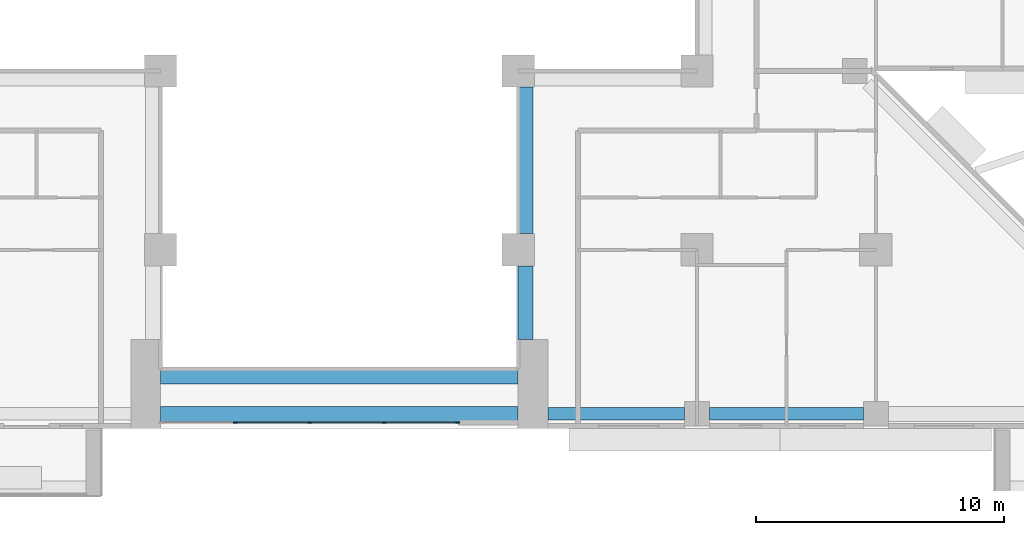
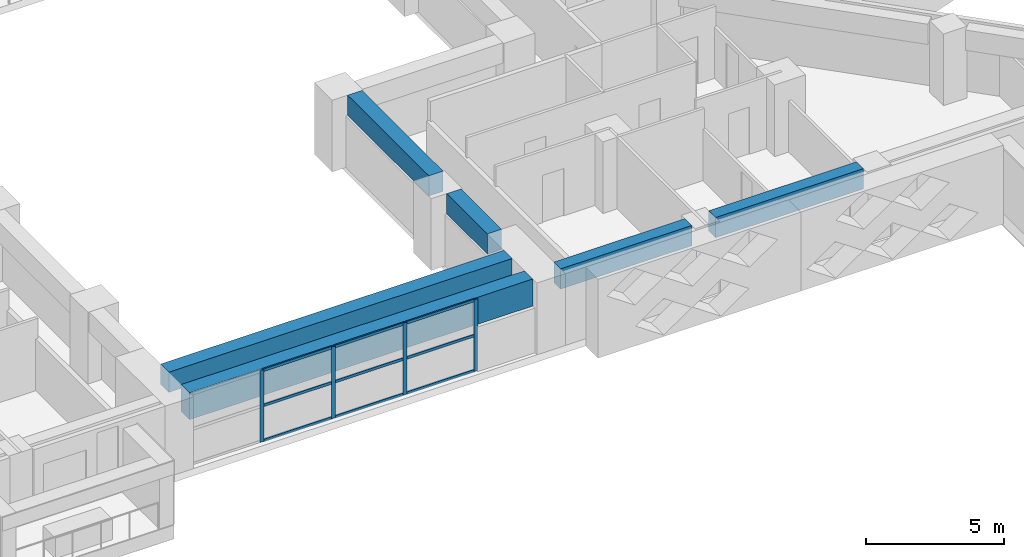
# One storey, part 4 of 17: 13 members, 6 beams, 1 element without a shape of its own.
"""IFC4 building model written with IfcOpenShell, lengths in metres."""

from ifc_helpers import new_model, si_unit, direction, frame, origin, origin_2d, place, context, subcontext, project, spatial, rectangle, extrude, source, transform, mapped, material, layer, layer_set, material_profile, profile_set, type_object, element, aggregate, save


model = new_model("IFC4")

# Units and contexts
model_context = context("Model", 3, precision=1e-05, world=origin(), true_north=direction((0.0, 1.0)))
body_context = subcontext(model_context, "Body", "Model", "MODEL_VIEW")
ifc_project = project(units=[si_unit("LENGTHUNIT", "METRE"), si_unit("AREAUNIT", "SQUARE_METRE"), si_unit("VOLUMEUNIT", "CUBIC_METRE"), si_unit("PLANEANGLEUNIT", "RADIAN"), si_unit("MASSUNIT", "GRAM", prefix="KILO")], contexts=[model_context])

# Site, building, storey
site_placement = place(None, origin())
site = spatial("IfcSite", under=ifc_project, at=site_placement, CompositionType="ELEMENT")
building_placement = place(site_placement, origin())
building = spatial("IfcBuilding", under=site, at=building_placement, Name="Saffron Iwan Residences", CompositionType="ELEMENT")
storey_placement = place(building_placement, frame((0.0, 0.0, 76.0)))
storey = spatial("IfcBuildingStorey", under=building, at=storey_placement, Name="L19", CompositionType="ELEMENT", Elevation=76.0)

# Beams
ifc_material_1 = material(Name="Concrete C60/75", Category="concrete")
ifc_material_profile_1 = material_profile(ifc_material_1, rectangle(XDim=0.60009765625, YDim=1.199951171875, at=origin_2d()), Name="RC 600x1200")
ifc_profile_set_1 = profile_set([ifc_material_profile_1], Name="Concrete C60/75")
beam_type_1 = type_object("IfcBeamType", Name="LINTEL BEAM RC 600x1200 C60/75 TOP 3180", PredefinedType="LINTEL", material=ifc_profile_set_1)
shared_shape_1 = source(origin(), body_context, "Body", "SweptSolid", [
    extrude(rectangle(XDim=0.60009765625, YDim=1.199951171875, at=origin_2d()), origin(), (0.0, 0.0, 1.0), 14.400146484375),
])
beam_1_placement = place(storey_placement, frame((57.60009765625, 34.199951171875, 2.580078125), z_axis=(-1.0, 0.0, 0.0), x_axis=(0.0, -1.0, 0.0)))
element("IfcBeam", 1, at=beam_1_placement, inside=storey, type_object=beam_type_1, Name="Lintel beam over the iwan", PredefinedType="LINTEL", context=body_context, shape_type="MappedRepresentation", body=[
    mapped(shared_shape_1, transform((0.0, 0.0, 0.0))),
])
ifc_material_profile_2 = material_profile(ifc_material_1, rectangle(XDim=0.60009765625, YDim=0.89990234375, at=origin_2d()), Name="RC 600x900")
ifc_profile_set_2 = profile_set([ifc_material_profile_2], Name="Concrete C60/75")
beam_type_2 = type_object("IfcBeamType", Name="BEAM RC 600x900 C60/75 TOP 3180", PredefinedType="BEAM", material=ifc_profile_set_2)
shared_shape_2 = source(origin(), body_context, "Body", "SweptSolid", [
    extrude(rectangle(XDim=0.60009765625, YDim=0.89990234375, at=origin_2d()), origin(), (0.0, 0.0, 1.0), 14.400146484375),
])
beam_2_placement = place(storey_placement, frame((57.60009765625, 35.699951171875, 2.72998046875), z_axis=(-1.0, 0.0, 0.0), x_axis=(0.0, -1.0, 0.0)))
element("IfcBeam", 2, at=beam_2_placement, inside=storey, type_object=beam_type_2, Name="Atrium edge beam", PredefinedType="BEAM", context=body_context, shape_type="MappedRepresentation", body=[
    mapped(shared_shape_2, transform((0.0, 0.0, 0.0))),
])
ifc_material_profile_3 = material_profile(ifc_material_1, rectangle(XDim=0.5, YDim=0.89990234375, at=origin_2d()), Name="RC 500x900")
ifc_profile_set_3 = profile_set([ifc_material_profile_3], Name="Concrete C60/75")
beam_type_3 = type_object("IfcBeamType", Name="SPANDREL BEAM RC 500x900 C60/75 TOP 3180", PredefinedType="SPANDREL", material=ifc_profile_set_3)
shared_shape_3 = source(origin(), body_context, "Body", "SweptSolid", [
    extrude(rectangle(XDim=0.5, YDim=0.89990234375, at=origin_2d()), origin(), (0.0, 0.0, 1.0), 6.199951171875),
])
beam_3_placement = place(storey_placement, frame((71.5, 34.199951171875, 2.72998046875), z_axis=(-1.0, 0.0, 0.0), x_axis=(0.0, -1.0, 0.0)))
element("IfcBeam", 3, at=beam_3_placement, inside=storey, type_object=beam_type_3, Name="Spandrel beam", PredefinedType="SPANDREL", context=body_context, shape_type="MappedRepresentation", body=[
    mapped(shared_shape_3, transform((0.0, 0.0, 0.0))),
])
shared_shape_4 = source(origin(), body_context, "Body", "SweptSolid", [
    extrude(rectangle(XDim=0.5, YDim=0.89990234375, at=origin_2d()), origin(), (0.0, 0.0, 1.0), 5.5),
])
beam_4_placement = place(storey_placement, frame((64.300048828125, 34.199951171875, 2.72998046875), z_axis=(-1.0, 0.0, 0.0), x_axis=(0.0, -1.0, 0.0)))
element("IfcBeam", 4, at=beam_4_placement, inside=storey, type_object=beam_type_3, Name="Spandrel beam", PredefinedType="SPANDREL", context=body_context, shape_type="MappedRepresentation", body=[
    mapped(shared_shape_4, transform((0.0, 0.0, 0.0))),
])
shared_shape_5 = source(origin(), body_context, "Body", "SweptSolid", [
    extrude(rectangle(XDim=0.60009765625, YDim=0.89990234375, at=origin_2d()), origin(), (0.0, 0.0, 1.0), 2.949951171875),
])
beam_5_placement = place(storey_placement, frame((57.89990234375, 40.14990234375, 2.72998046875), z_axis=(0.0, -1.0, 0.0), x_axis=(1.0, 0.0, 0.0)))
element("IfcBeam", 5, at=beam_5_placement, inside=storey, type_object=beam_type_2, Name="Atrium edge beam", PredefinedType="BEAM", context=body_context, shape_type="MappedRepresentation", body=[
    mapped(shared_shape_5, transform((0.0, 0.0, 0.0))),
])
shared_shape_6 = source(origin(), body_context, "Body", "SweptSolid", [
    extrude(rectangle(XDim=0.60009765625, YDim=0.89990234375, at=origin_2d()), origin(), (0.0, 0.0, 1.0), 5.900146484375),
])
beam_6_placement = place(storey_placement, frame((57.89990234375, 47.35009765625, 2.72998046875), z_axis=(0.0, -1.0, 0.0), x_axis=(1.0, 0.0, 0.0)))
element("IfcBeam", 6, at=beam_6_placement, inside=storey, type_object=beam_type_2, Name="Atrium edge beam", PredefinedType="BEAM", context=body_context, shape_type="MappedRepresentation", body=[
    mapped(shared_shape_6, transform((0.0, 0.0, 0.0))),
])

# Curtain wall, members
ifc_material_2 = material(Name="Clear glass, laminated double glazed", Category="glass")
ifc_layer = layer(ifc_material_2, 0.199951171875)
ifc_layer_set = layer_set([ifc_layer], Name="Clear glass, laminated double glazed")
curtain_wall_type = type_object("IfcCurtainWallType", Name="CW-B IWAN PORTAL", PredefinedType="NOTDEFINED", material=ifc_layer_set)
curtain_wall_placement = place(storey_placement, origin())
curtain_wall = element("IfcCurtainWall", 7, at=curtain_wall_placement, inside=storey, type_object=curtain_wall_type, Name="Iwan portal glazing L19.1", PredefinedType="NOTDEFINED")
ifc_material_3 = material(Name="Aluminium 6063-T6", Category="aluminium")
ifc_material_profile_4 = material_profile(ifc_material_3, rectangle(XDim=0.06005859375, YDim=0.159912109375, at=origin_2d()), Name="CW-B MULLION 60 x 160")
ifc_profile_set_4 = profile_set([ifc_material_profile_4], Name="Aluminium 6063-T6")
member_type_1 = type_object("IfcMemberType", Name="CW-B MULLION 60 x 160", PredefinedType="MULLION", material=ifc_profile_set_4)
shared_shape_7 = source(origin(), body_context, "Body", "SweptSolid", [
    extrude(rectangle(XDim=0.06005859375, YDim=0.159912109375, at=origin_2d()), origin(), (0.0, 0.0, 1.0), 3.179931640625),
])
member_1_placement = place(storey_placement, frame((46.199951171875, 33.85009765625, 0.0), z_axis=(0.0, 0.0, 1.0), x_axis=(0.0, 1.0, 0.0)))
member_1 = element("IfcMember", 8, at=member_1_placement, type_object=member_type_1, Name="CW-B mullion 2", PredefinedType="MULLION", context=body_context, shape_type="MappedRepresentation", body=[
    mapped(shared_shape_7, transform((0.0, 0.0, 0.0))),
])
member_2_placement = place(storey_placement, frame((49.199951171875, 33.85009765625, 0.0), z_axis=(0.0, 0.0, 1.0), x_axis=(0.0, 1.0, 0.0)))
member_2 = element("IfcMember", 9, at=member_2_placement, type_object=member_type_1, Name="CW-B mullion 3", PredefinedType="MULLION", context=body_context, shape_type="MappedRepresentation", body=[
    mapped(shared_shape_7, transform((0.0, 0.0, 0.0))),
])
member_3_placement = place(storey_placement, frame((52.199951171875, 33.85009765625, 0.0), z_axis=(0.0, 0.0, 1.0), x_axis=(0.0, 1.0, 0.0)))
member_3 = element("IfcMember", 10, at=member_3_placement, type_object=member_type_1, Name="CW-B mullion 4", PredefinedType="MULLION", context=body_context, shape_type="MappedRepresentation", body=[
    mapped(shared_shape_7, transform((0.0, 0.0, 0.0))),
])
member_4_placement = place(storey_placement, frame((55.169921875, 33.85009765625, 0.0), z_axis=(0.0, 0.0, 1.0), x_axis=(0.0, 1.0, 0.0)))
member_4 = element("IfcMember", 11, at=member_4_placement, type_object=member_type_1, Name="CW-B mullion 5", PredefinedType="MULLION", context=body_context, shape_type="MappedRepresentation", body=[
    mapped(shared_shape_7, transform((0.0, 0.0, 0.0))),
])
ifc_material_profile_5 = material_profile(ifc_material_3, rectangle(XDim=0.06005859375, YDim=0.1201171875, at=origin_2d()), Name="CW-B TRANSOM 60 x 120")
ifc_profile_set_5 = profile_set([ifc_material_profile_5], Name="Aluminium 6063-T6")
member_type_2 = type_object("IfcMemberType", Name="CW-B TRANSOM 60 x 120", PredefinedType="USERDEFINED", material=ifc_profile_set_5)
shared_shape_8 = source(origin(), body_context, "Body", "SweptSolid", [
    extrude(rectangle(XDim=0.06005859375, YDim=0.1201171875, at=origin_2d()), origin(), (0.0, 0.0, 1.0), 2.909912109375),
])
member_5_placement = place(storey_placement, frame((52.22998046875, 33.85009765625, 0.030029296875), z_axis=(1.0, 0.0, 0.0), x_axis=(0.0, 1.0, 0.0)))
member_5 = element("IfcMember", 12, at=member_5_placement, type_object=member_type_2, Name="CW-B transom 4.1", ObjectType="TRANSOM", PredefinedType="USERDEFINED", context=body_context, shape_type="MappedRepresentation", body=[
    mapped(shared_shape_8, transform((0.0, 0.0, 0.0))),
])
member_6_placement = place(storey_placement, frame((52.22998046875, 33.85009765625, 1.590087890625), z_axis=(1.0, 0.0, 0.0), x_axis=(0.0, 1.0, 0.0)))
member_6 = element("IfcMember", 13, at=member_6_placement, type_object=member_type_2, Name="CW-B transom 4.2", ObjectType="TRANSOM", PredefinedType="USERDEFINED", context=body_context, shape_type="MappedRepresentation", body=[
    mapped(shared_shape_8, transform((0.0, 0.0, 0.0))),
])
member_7_placement = place(storey_placement, frame((52.22998046875, 33.85009765625, 3.14990234375), z_axis=(1.0, 0.0, 0.0), x_axis=(0.0, 1.0, 0.0)))
member_7 = element("IfcMember", 14, at=member_7_placement, type_object=member_type_2, Name="CW-B transom 4.3", ObjectType="TRANSOM", PredefinedType="USERDEFINED", context=body_context, shape_type="MappedRepresentation", body=[
    mapped(shared_shape_8, transform((0.0, 0.0, 0.0))),
])
shared_shape_9 = source(origin(), body_context, "Body", "SweptSolid", [
    extrude(rectangle(XDim=0.06005859375, YDim=0.1201171875, at=origin_2d()), origin(), (0.0, 0.0, 1.0), 2.93994140625),
])
member_8_placement = place(storey_placement, frame((46.22998046875, 33.85009765625, 0.030029296875), z_axis=(1.0, 0.0, 0.0), x_axis=(0.0, 1.0, 0.0)))
member_8 = element("IfcMember", 15, at=member_8_placement, type_object=member_type_2, Name="CW-B transom 2.1", ObjectType="TRANSOM", PredefinedType="USERDEFINED", context=body_context, shape_type="MappedRepresentation", body=[
    mapped(shared_shape_9, transform((0.0, 0.0, 0.0))),
])
member_9_placement = place(storey_placement, frame((46.22998046875, 33.85009765625, 1.590087890625), z_axis=(1.0, 0.0, 0.0), x_axis=(0.0, 1.0, 0.0)))
member_9 = element("IfcMember", 16, at=member_9_placement, type_object=member_type_2, Name="CW-B transom 2.2", ObjectType="TRANSOM", PredefinedType="USERDEFINED", context=body_context, shape_type="MappedRepresentation", body=[
    mapped(shared_shape_9, transform((0.0, 0.0, 0.0))),
])
member_10_placement = place(storey_placement, frame((46.22998046875, 33.85009765625, 3.14990234375), z_axis=(1.0, 0.0, 0.0), x_axis=(0.0, 1.0, 0.0)))
member_10 = element("IfcMember", 17, at=member_10_placement, type_object=member_type_2, Name="CW-B transom 2.3", ObjectType="TRANSOM", PredefinedType="USERDEFINED", context=body_context, shape_type="MappedRepresentation", body=[
    mapped(shared_shape_9, transform((0.0, 0.0, 0.0))),
])
member_11_placement = place(storey_placement, frame((49.22998046875, 33.85009765625, 0.030029296875), z_axis=(1.0, 0.0, 0.0), x_axis=(0.0, 1.0, 0.0)))
member_11 = element("IfcMember", 18, at=member_11_placement, type_object=member_type_2, Name="CW-B transom 3.1", ObjectType="TRANSOM", PredefinedType="USERDEFINED", context=body_context, shape_type="MappedRepresentation", body=[
    mapped(shared_shape_9, transform((0.0, 0.0, 0.0))),
])
member_12_placement = place(storey_placement, frame((49.22998046875, 33.85009765625, 1.590087890625), z_axis=(1.0, 0.0, 0.0), x_axis=(0.0, 1.0, 0.0)))
member_12 = element("IfcMember", 19, at=member_12_placement, type_object=member_type_2, Name="CW-B transom 3.2", ObjectType="TRANSOM", PredefinedType="USERDEFINED", context=body_context, shape_type="MappedRepresentation", body=[
    mapped(shared_shape_9, transform((0.0, 0.0, 0.0))),
])
member_13_placement = place(storey_placement, frame((49.22998046875, 33.85009765625, 3.14990234375), z_axis=(1.0, 0.0, 0.0), x_axis=(0.0, 1.0, 0.0)))
member_13 = element("IfcMember", 20, at=member_13_placement, type_object=member_type_2, Name="CW-B transom 3.3", ObjectType="TRANSOM", PredefinedType="USERDEFINED", context=body_context, shape_type="MappedRepresentation", body=[
    mapped(shared_shape_9, transform((0.0, 0.0, 0.0))),
])
aggregate(curtain_wall, [member_1, member_2, member_3, member_4, member_8, member_9, member_10, member_11, member_12, member_13, member_5, member_6, member_7])

save(model, "model.ifc")
